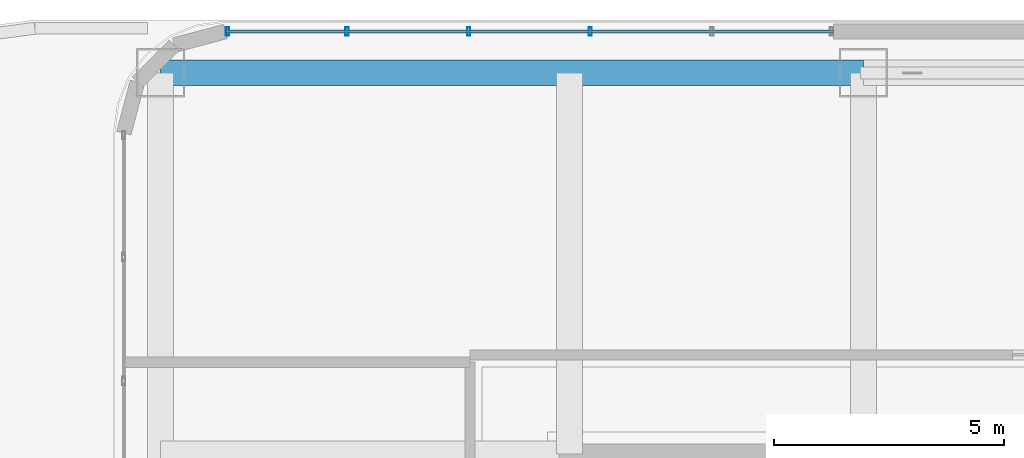
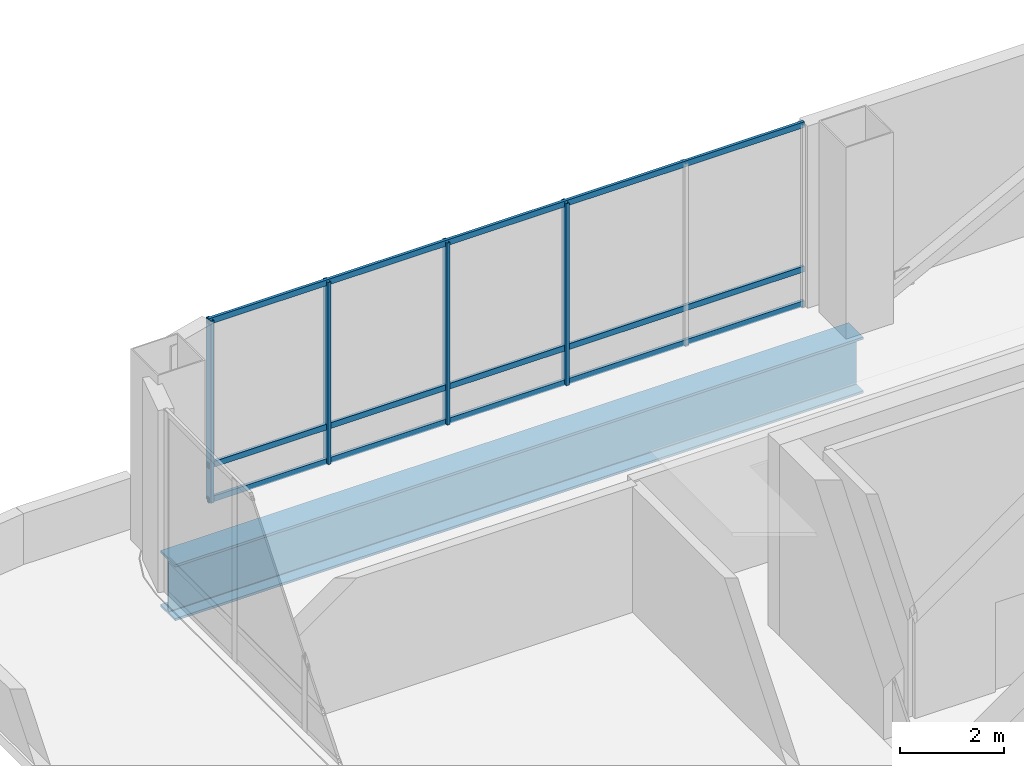
# One storey, part 20 of 33: 7 members, 1 beam, 1 element without a shape of its own.
"""IFC4 building model written with IfcOpenShell, lengths in metres."""

from ifc_helpers import new_model, si_unit, direction, frame, origin, origin_2d, place, context, subcontext, project, spatial, hollow_rectangle, i_section, extrude, material, material_profile, profile_set, type_object, element, aggregate, save


model = new_model("IFC4")

# Units and contexts
model_context = context("Model", 3, precision=1e-05, world=origin(), true_north=direction((0.0, 1.0)))
body_context = subcontext(model_context, "Body", "Model", "MODEL_VIEW")
ifc_project = project(units=[si_unit("LENGTHUNIT", "METRE"), si_unit("AREAUNIT", "SQUARE_METRE"), si_unit("VOLUMEUNIT", "CUBIC_METRE"), si_unit("PLANEANGLEUNIT", "RADIAN"), si_unit("MASSUNIT", "GRAM", prefix="KILO")], contexts=[model_context])

# Site, building, storey
site_placement = place(None, origin())
site = spatial("IfcSite", under=ifc_project, at=site_placement, CompositionType="ELEMENT")
building_placement = place(site_placement, origin())
building = spatial("IfcBuilding", under=site, at=building_placement, Name="Punatoya Terracotta Tower", CompositionType="ELEMENT")
storey_placement = place(building_placement, frame((0.0, 0.0, 343.800048828125)))
storey = spatial("IfcBuildingStorey", under=building, at=storey_placement, Name="L81", CompositionType="ELEMENT", Elevation=343.800048828125)

# Beam
ifc_material_1 = material(Name="Steel S460", Category="steel")
ifc_material_profile_1 = material_profile(ifc_material_1, i_section(OverallWidth=0.56005859375, OverallDepth=1.320068359375, WebThickness=0.035888671875, FlangeThickness=0.054931640625, FilletRadius=0.01806640625, at=origin_2d()))
ifc_profile_set_1 = profile_set([ifc_material_profile_1], Name="Steel S460")
beam_type = type_object("IfcBeamType", Name="BM-TG-BLK", PredefinedType="BEAM", material=ifc_profile_set_1)
beam_placement = place(storey_placement, frame((-19.10009765625, 17.5, -0.93994140625), z_axis=(1.0, 0.0, 0.0), x_axis=(0.0, 1.0, 0.0)))
element("IfcBeam", 1, at=beam_placement, inside=storey, type_object=beam_type, Name="BM-L81-RG-N1", PredefinedType="BEAM", context=body_context, shape_type="SweptSolid", body=[
    extrude(i_section(OverallWidth=0.56005859375, OverallDepth=1.320068359375, WebThickness=0.035888671875, FlangeThickness=0.054931640625, FilletRadius=0.01806640625, at=origin_2d()), origin(), (0.0, 0.0, 1.0), 15.300048828125),
])

# Curtain wall, members
ifc_material_2 = material(Name="Aluminium 6063-T6 + Double Low-E Glass", Category="aluminium")
curtain_wall_type = type_object("IfcCurtainWallType", Name="CW-CRN", PredefinedType="NOTDEFINED", material=ifc_material_2)
curtain_wall_placement = place(storey_placement, origin())
curtain_wall = element("IfcCurtainWall", 2, at=curtain_wall_placement, inside=storey, type_object=curtain_wall_type, Name="L81 Curtain Wall CW-L81-N09-2", PredefinedType="NOTDEFINED")
ifc_material_3 = material(Name="Aluminium 6063-T6", Category="aluminium")
ifc_material_profile_2 = material_profile(ifc_material_3, hollow_rectangle(XDim=0.070068359375, YDim=0.179931640625, WallThickness=0.00390625, at=origin_2d()))
ifc_profile_set_2 = profile_set([ifc_material_profile_2], Name="Aluminium 6063-T6")
member_type_1 = type_object("IfcMemberType", Name="CW-MUL-M3", PredefinedType="MULLION", material=ifc_profile_set_2)
member_1_placement = place(storey_placement, frame((-9.744873046875, 18.39990234375, 0.0), z_axis=(0.0, 0.0, 1.0), x_axis=(1.0, 0.0, 0.0)))
member_1 = element("IfcMember", 3, at=member_1_placement, type_object=member_type_1, Name="CW-L81-N09-2 Mullion 02", PredefinedType="MULLION", context=body_context, shape_type="SweptSolid", body=[
    extrude(hollow_rectangle(XDim=0.070068359375, YDim=0.179931640625, WallThickness=0.00390625, at=origin_2d()), origin(), (0.0, 0.0, 1.0), 4.280029296875),
])
member_2_placement = place(storey_placement, frame((-12.39208984375, 18.39990234375, 0.0), z_axis=(0.0, 0.0, 1.0), x_axis=(1.0, 0.0, 0.0)))
member_2 = element("IfcMember", 4, at=member_2_placement, type_object=member_type_1, Name="CW-L81-N09-2 Mullion 03", PredefinedType="MULLION", context=body_context, shape_type="SweptSolid", body=[
    extrude(hollow_rectangle(XDim=0.070068359375, YDim=0.179931640625, WallThickness=0.00390625, at=origin_2d()), origin(), (0.0, 0.0, 1.0), 4.280029296875),
])
member_3_placement = place(storey_placement, frame((-15.03955078125, 18.39990234375, 0.0), z_axis=(0.0, 0.0, 1.0), x_axis=(1.0, 0.0, 0.0)))
member_3 = element("IfcMember", 5, at=member_3_placement, type_object=member_type_1, Name="CW-L81-N09-2 Mullion 04", PredefinedType="MULLION", context=body_context, shape_type="SweptSolid", body=[
    extrude(hollow_rectangle(XDim=0.070068359375, YDim=0.179931640625, WallThickness=0.00390625, at=origin_2d()), origin(), (0.0, 0.0, 1.0), 4.280029296875),
])
member_4_placement = place(storey_placement, frame((-17.641845703125, 18.39990234375, 0.0), z_axis=(0.0, 0.0, 1.0), x_axis=(1.0, 0.0, 0.0)))
member_4 = element("IfcMember", 6, at=member_4_placement, type_object=member_type_1, Name="CW-L81-N09-2 Mullion 05", PredefinedType="MULLION", context=body_context, shape_type="SweptSolid", body=[
    extrude(hollow_rectangle(XDim=0.070068359375, YDim=0.179931640625, WallThickness=0.00390625, at=origin_2d()), origin(), (0.0, 0.0, 1.0), 4.280029296875),
])
ifc_material_profile_3 = material_profile(ifc_material_3, hollow_rectangle(XDim=0.06201171875, YDim=0.135009765625, WallThickness=0.00390625, at=origin_2d()))
ifc_profile_set_3 = profile_set([ifc_material_profile_3], Name="Aluminium 6063-T6")
member_type_2 = type_object("IfcMemberType", Name="CW-TRN-CRN", PredefinedType="USERDEFINED", material=ifc_profile_set_3)
member_5_placement = place(storey_placement, frame((-4.449951171875, 18.39990234375, 0.0400390625), z_axis=(-1.0, 0.0, 0.0), x_axis=(0.0, -1.0, 0.0)))
member_5 = element("IfcMember", 7, at=member_5_placement, type_object=member_type_2, Name="CW-L81-N09-2 Transom 1", ObjectType="TRANSOM", PredefinedType="USERDEFINED", context=body_context, shape_type="SweptSolid", body=[
    extrude(hollow_rectangle(XDim=0.06201171875, YDim=0.135009765625, WallThickness=0.00390625, at=origin_2d()), origin(), (0.0, 0.0, 1.0), 13.237060546875),
])
member_6_placement = place(storey_placement, frame((-4.449951171875, 18.39990234375, 0.849853515625), z_axis=(-1.0, 0.0, 0.0), x_axis=(0.0, -1.0, 0.0)))
member_6 = element("IfcMember", 8, at=member_6_placement, type_object=member_type_2, Name="CW-L81-N09-2 Transom 2", ObjectType="TRANSOM", PredefinedType="USERDEFINED", context=body_context, shape_type="SweptSolid", body=[
    extrude(hollow_rectangle(XDim=0.06201171875, YDim=0.135009765625, WallThickness=0.00390625, at=origin_2d()), origin(), (0.0, 0.0, 1.0), 13.237060546875),
])
member_7_placement = place(storey_placement, frame((-4.449951171875, 18.39990234375, 4.239990234375), z_axis=(-1.0, 0.0, 0.0), x_axis=(0.0, -1.0, 0.0)))
member_7 = element("IfcMember", 9, at=member_7_placement, type_object=member_type_2, Name="CW-L81-N09-2 Transom 3", ObjectType="TRANSOM", PredefinedType="USERDEFINED", context=body_context, shape_type="SweptSolid", body=[
    extrude(hollow_rectangle(XDim=0.06201171875, YDim=0.135009765625, WallThickness=0.00390625, at=origin_2d()), origin(), (0.0, 0.0, 1.0), 13.237060546875),
])
aggregate(curtain_wall, [member_1, member_2, member_3, member_4, member_5, member_6, member_7])

save(model, "model.ifc")
